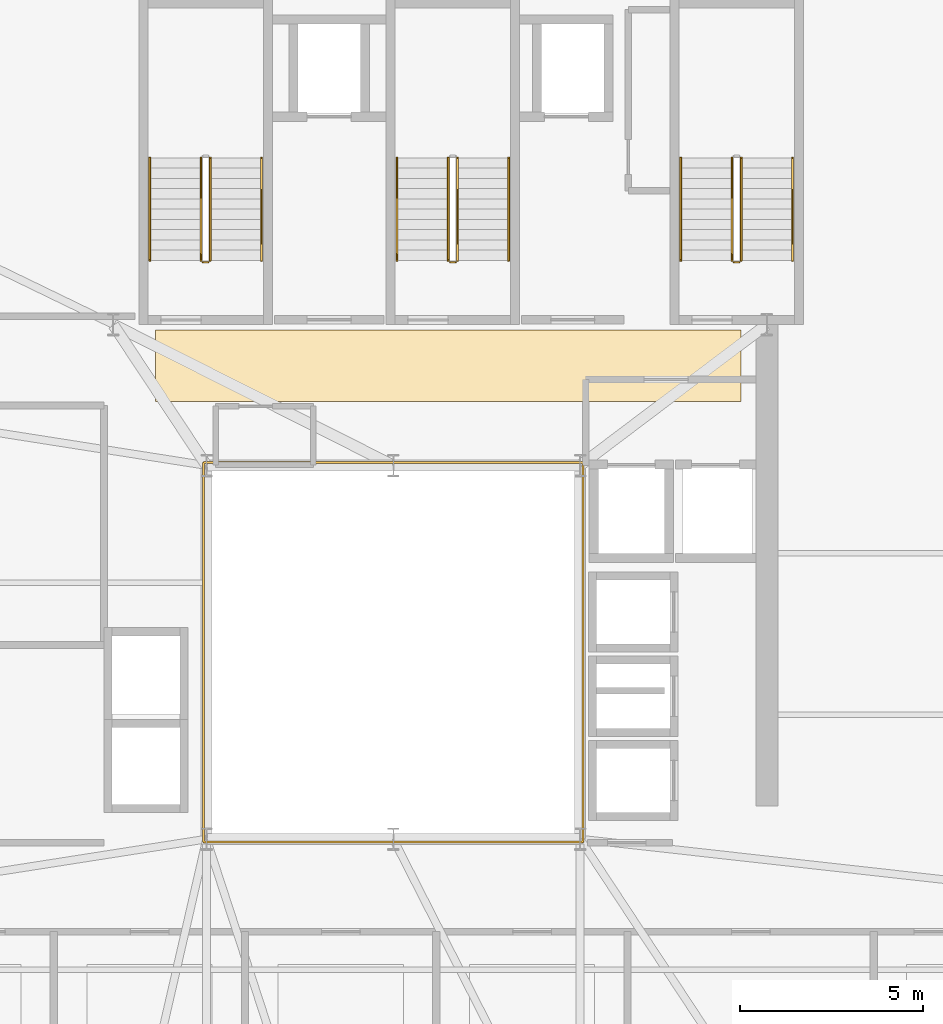
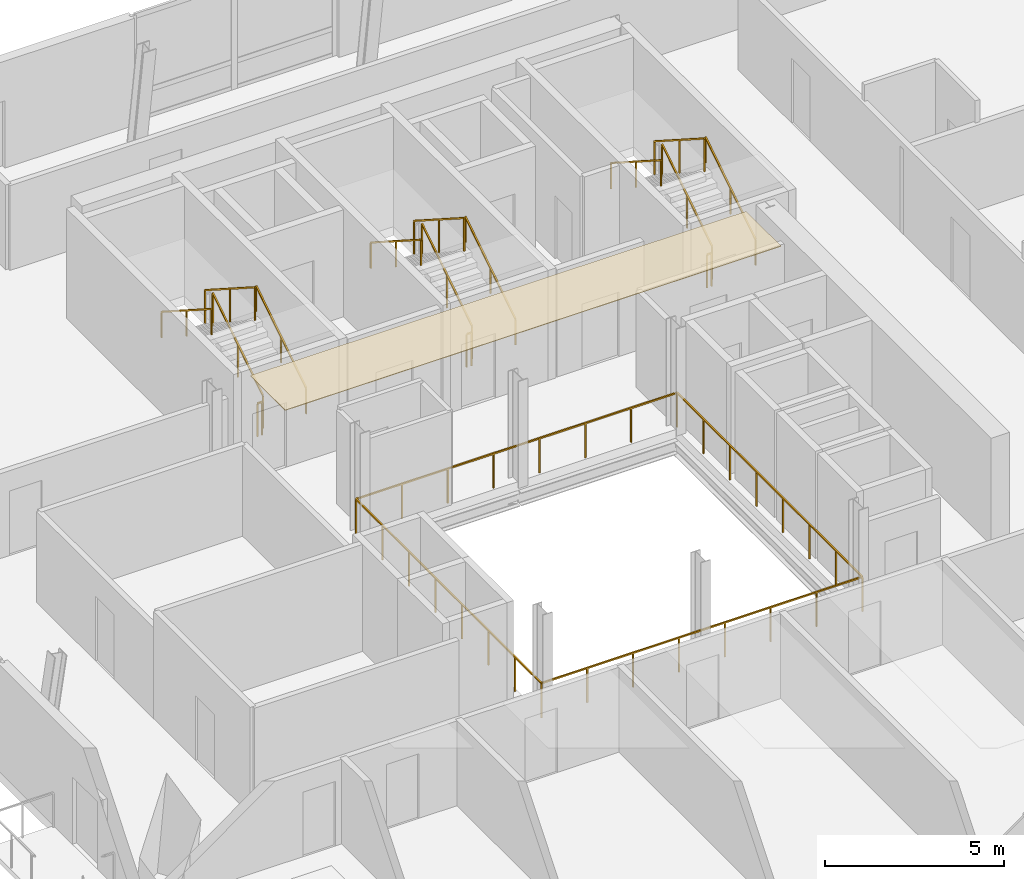
# One storey, part 13 of 15: 16 railings, 1 covering.
"""IFC4 building model written with IfcOpenShell, lengths in metres."""

import ifcopenshell
import ifcopenshell.guid

model = None  # the IFC model being written
_history = None  # IfcOwnerHistory: only IFC2X3 demands one
_inside = {}  # id of a spatial element -> (the spatial element, [elements in it])
_under = {}  # id of a project, library or spatial element -> (it, [spatial elements below it])
_declared = {}  # id of a project -> (the project, [libraries it declares])
_typed = {}  # id of a type object -> (the type object, [elements of that type])
_made_of = {}  # id of a material, layer set ... -> (it, [elements and type objects made of it])


def new_model(schema):
    """Start an empty IFC model of exactly this schema.

    Asked for "IFC4X3", IfcOpenShell would pick the latest addendum, in which some entities
    have other attributes; the version numbers below select the first issue.
    IFC2X3 requires an IfcOwnerHistory on every rooted entity: one is made here for all.
    """
    global model, _history
    if schema == "IFC4X3":
        model = ifcopenshell.file(schema_version=(4, 3, 0, 0))
    else:
        model = ifcopenshell.file(schema=schema)
    _inside.clear()
    _under.clear()
    _declared.clear()
    _typed.clear()
    _made_of.clear()
    _history = None
    if model.schema == "IFC2X3":
        org = make("IfcOrganization", Name="unknown")
        user = make(
            "IfcPersonAndOrganization",
            ThePerson=make("IfcPerson", FamilyName="unknown"),
            TheOrganization=org,
        )
        app = make(
            "IfcApplication",
            ApplicationDeveloper=org,
            Version="unknown",
            ApplicationFullName="unknown",
            ApplicationIdentifier="unknown",
        )
        _history = make(
            "IfcOwnerHistory",
            OwningUser=user,
            OwningApplication=app,
            ChangeAction="ADDED",
            CreationDate=0,
        )
    return model


def make(cls, **values):
    """One entity of the class cls with the attributes given. An attribute that is None is left unset."""
    return model.create_entity(
        cls, **{name: value for name, value in values.items() if value is not None}
    )


def rooted(cls, **values):
    """An entity with a GlobalId (a new one), such as an element, a storey or a relation."""
    return make(cls, GlobalId=ifcopenshell.guid.new(), OwnerHistory=_history, **values)


def si_unit(unit_type, name, prefix=None):
    """IfcSIUnit, for example si_unit("LENGTHUNIT", "METRE", prefix="MILLI")."""
    return make("IfcSIUnit", UnitType=unit_type, Prefix=prefix, Name=name)


def assignment(units):
    """IfcUnitAssignment: the units of a project."""
    return None if units is None else make("IfcUnitAssignment", Units=units)


def point(xyz):
    """IfcCartesianPoint."""
    return None if xyz is None else make("IfcCartesianPoint", Coordinates=xyz)


def direction(xyz):
    """IfcDirection."""
    return None if xyz is None else make("IfcDirection", DirectionRatios=xyz)


def frame(location, z_axis=None, x_axis=None):
    """IfcAxis2Placement3D, a coordinate frame: its origin and axes. An axis left out is left unset."""
    return make(
        "IfcAxis2Placement3D",
        Location=point(location),
        Axis=direction(z_axis),
        RefDirection=direction(x_axis),
    )


def frame_2d(location, x_axis=None):
    """IfcAxis2Placement2D, a coordinate frame in the plane: its origin and x axis."""
    return make(
        "IfcAxis2Placement2D", Location=point(location), RefDirection=direction(x_axis)
    )


def origin():
    """The frame at (0, 0, 0) with its axes left unset."""
    return frame((0.0, 0.0, 0.0))


def origin_2d():
    """The frame at (0, 0) in the plane with its x axis left unset."""
    return frame_2d((0.0, 0.0))


def place(relative_to, where):
    """IfcLocalPlacement: puts the frame where relative to a parent placement (None: the world)."""
    return make(
        "IfcLocalPlacement", PlacementRelTo=relative_to, RelativePlacement=where
    )


def context(
    kind, dimensions, precision=None, world=None, true_north=None, identifier=None
):
    """IfcGeometricRepresentationContext, for example the 3D "Model" context."""
    return make(
        "IfcGeometricRepresentationContext",
        ContextIdentifier=identifier,
        ContextType=kind,
        CoordinateSpaceDimension=dimensions,
        Precision=precision,
        WorldCoordinateSystem=world,
        TrueNorth=true_north,
    )


def subcontext(parent, identifier, kind, view, scale=None):
    """IfcGeometricRepresentationSubContext, for example "Body" below "Model"."""
    return make(
        "IfcGeometricRepresentationSubContext",
        ContextIdentifier=identifier,
        ContextType=kind,
        ParentContext=parent,
        TargetScale=scale,
        TargetView=view,
    )


def project(units=None, contexts=None):
    """IfcProject with its units and contexts."""
    return rooted(
        "IfcProject",
        Name="project",
        RepresentationContexts=contexts,
        UnitsInContext=assignment(units),
    )


def spatial(cls, under=None, at=None, **own):
    """A site, building, storey or space (cls), placed at a placement, below another one or the project."""
    s = rooted(cls, ObjectPlacement=at, **own)
    if under is not None:
        _under.setdefault(under.id(), (under, []))[1].append(s)
    return s


def polyline(points):
    """IfcPolyline through the points."""
    return make("IfcPolyline", Points=[point(p) for p in points])


def profile(cls, at=None, kind="AREA", **sizes):
    """A parametric profile (cls). Its sizes go by their IFC names, for example OverallWidth=200.0."""
    return make(cls, ProfileType=kind, Position=at, **sizes)


def rectangle(**sizes):
    """IfcRectangleProfileDef."""
    return profile("IfcRectangleProfileDef", **sizes)


def outline(outer, holes=None, kind="AREA"):
    """IfcArbitraryClosedProfileDef: a profile drawn as a closed curve; with holes, ...WithVoids."""
    if holes is None:
        return make("IfcArbitraryClosedProfileDef", ProfileType=kind, OuterCurve=outer)
    return make(
        "IfcArbitraryProfileDefWithVoids",
        ProfileType=kind,
        OuterCurve=outer,
        InnerCurves=holes,
    )


def extrude(swept, where, along, depth):
    """IfcExtrudedAreaSolid: the profile swept, set in the frame where, extruded along a direction by depth."""
    return make(
        "IfcExtrudedAreaSolid",
        SweptArea=swept,
        Position=where,
        ExtrudedDirection=direction(along),
        Depth=depth,
    )


def shape(context_of_items, identifier, shape_type, items):
    """IfcShapeRepresentation: the items that make up one representation, for example the "Body"."""
    return make(
        "IfcShapeRepresentation",
        ContextOfItems=context_of_items,
        RepresentationIdentifier=identifier,
        RepresentationType=shape_type,
        Items=items,
    )


def source(mapping_origin, context_of_items, identifier, shape_type, items):
    """IfcRepresentationMap: a shape defined once, which mapped items show again and again."""
    return make(
        "IfcRepresentationMap",
        MappingOrigin=mapping_origin,
        MappedRepresentation=shape(context_of_items, identifier, shape_type, items),
    )


def transform(
    local_origin,
    x_axis=None,
    y_axis=None,
    z_axis=None,
    scale=None,
    scale2=None,
    scale3=None,
    uniform=True,
):
    """IfcCartesianTransformationOperator3D, or its non-uniform kind. x_axis, y_axis, z_axis: its Axis1, 2, 3."""
    if uniform:
        return make(
            "IfcCartesianTransformationOperator3D",
            Axis1=direction(x_axis),
            Axis2=direction(y_axis),
            LocalOrigin=point(local_origin),
            Scale=scale,
            Axis3=direction(z_axis),
        )
    return make(
        "IfcCartesianTransformationOperator3DnonUniform",
        Axis1=direction(x_axis),
        Axis2=direction(y_axis),
        LocalOrigin=point(local_origin),
        Scale=scale,
        Axis3=direction(z_axis),
        Scale2=scale2,
        Scale3=scale3,
    )


def mapped(mapping_source, mapping_target):
    """IfcMappedItem: shows the shape of a source again, moved by a transform."""
    return make(
        "IfcMappedItem", MappingSource=mapping_source, MappingTarget=mapping_target
    )


def material(Name=None, Category=None):
    """IfcMaterial."""
    return make("IfcMaterial", Name=Name, Category=Category)


def layer(
    of_material, thickness, ventilated=None, Name=None, Category=None, Priority=None
):
    """IfcMaterialLayer: one layer of a wall or slab, of a material (None: an air gap)."""
    return make(
        "IfcMaterialLayer",
        Material=of_material,
        LayerThickness=thickness,
        IsVentilated=ventilated,
        Name=Name,
        Category=Category,
        Priority=Priority,
    )


def layer_set(layers, Name=None):
    """IfcMaterialLayerSet."""
    return make("IfcMaterialLayerSet", MaterialLayers=layers, LayerSetName=Name)


def made_of(thing, what):
    """Note that an element or type object is made of a material, layer set ...; save() writes the relation."""
    if what is not None:
        _made_of.setdefault(what.id(), (what, []))[1].append(thing)
    return thing


def type_object(cls, material=None, **own):
    """A type object (cls), such as IfcWallType, which elements share."""
    return made_of(rooted(cls, **own), material)


def element(
    cls,
    number,
    at=None,
    inside=None,
    cuts=None,
    type_object=None,
    material=None,
    context=None,
    identifier="Body",
    shape_type=None,
    held_by="IfcProductDefinitionShape",
    body=None,
    shapes=None,
    **own,
):
    """One element of the class cls, such as IfcWall. Its Tag is "e" and its number.

    at: its placement. inside: the storey or other place that contains it. cuts: it is an
    opening in that element (IfcRelVoidsElement). A single representation is given by context,
    identifier, shape_type and body (its items); several are given by shapes. held_by: the class
    of the entity that holds the representations. save() writes the other relations.
    """
    e = rooted(cls, Tag="e%d" % number, ObjectPlacement=at, **own)
    if body is not None:
        shapes = [shape(context, identifier, shape_type, body)]
    if shapes is not None:
        e.Representation = make(held_by, Representations=shapes)
    if inside is not None:
        _inside.setdefault(inside.id(), (inside, []))[1].append(e)
    if cuts is not None:
        rooted(
            "IfcRelVoidsElement", RelatingBuildingElement=cuts, RelatedOpeningElement=e
        )
    if type_object is not None:
        _typed.setdefault(type_object.id(), (type_object, []))[1].append(e)
    return made_of(e, material)


def aggregate(whole, parts):
    """IfcRelAggregates: a whole, such as a stair, and the parts it consists of."""
    return rooted("IfcRelAggregates", RelatingObject=whole, RelatedObjects=parts)


def save(model, path):
    """Write the relations noted so far, then the file.

    IfcRelAggregates (storeys below a building ...), IfcRelContainedInSpatialStructure (elements
    in a storey), IfcRelDefinesByType, IfcRelAssociatesMaterial and IfcRelDeclares: one each for
    every whole, place, type object, material and project.
    """
    for whole, parts in _under.values():
        aggregate(whole, parts)
    for where, things in _inside.values():
        rooted(
            "IfcRelContainedInSpatialStructure",
            RelatedElements=things,
            RelatingStructure=where,
        )
    for kind, things in _typed.values():
        rooted("IfcRelDefinesByType", RelatedObjects=things, RelatingType=kind)
    for what, things in _made_of.values():
        rooted("IfcRelAssociatesMaterial", RelatedObjects=things, RelatingMaterial=what)
    for by, libraries in _declared.values():
        rooted("IfcRelDeclares", RelatingContext=by, RelatedDefinitions=libraries)
    model.write(path)


model = new_model("IFC4")

# Units and contexts
model_context = context("Model", 3, precision=1e-05, world=origin(), true_north=direction((0.0, 1.0)))
body_context = subcontext(model_context, "Body", "Model", "MODEL_VIEW")
ifc_project = project(units=[si_unit("LENGTHUNIT", "METRE"), si_unit("AREAUNIT", "SQUARE_METRE"), si_unit("VOLUMEUNIT", "CUBIC_METRE"), si_unit("PLANEANGLEUNIT", "RADIAN"), si_unit("MASSUNIT", "GRAM", prefix="KILO")], contexts=[model_context])

# Site, building, storey
site_placement = place(None, origin())
site = spatial("IfcSite", under=ifc_project, at=site_placement, CompositionType="ELEMENT")
building_placement = place(site_placement, origin())
building = spatial("IfcBuilding", under=site, at=building_placement, Name="Vardaveli Station Tower", CompositionType="ELEMENT")
storey_placement = place(building_placement, frame((0.0, 0.0, 262.449951171875)))
storey = spatial("IfcBuildingStorey", under=building, at=storey_placement, Name="L67", CompositionType="ELEMENT", Elevation=262.449951171875)

# Covering
ifc_material_1 = material(Name="Perforated acoustic mineral ceiling")
ifc_layer = layer(ifc_material_1, 0.02001953125, Name="Perforated acoustic mineral ceiling")
ifc_layer_set = layer_set([ifc_layer], Name="Perforated acoustic mineral ceiling")
covering_type = type_object("IfcCoveringType", Name="COV-CEIL-AC20", PredefinedType="CEILING", material=ifc_layer_set)
covering_placement = place(storey_placement, frame((0.0, 0.0, 3.635009765625)))
element("IfcCovering", 1, at=covering_placement, inside=storey, type_object=covering_type, Name="CEIL-L67-7", PredefinedType="CEILING", context=body_context, shape_type="SweptSolid", body=[
    extrude(outline(polyline([(29.800048828125, 28.550048828125), (45.800048828125, 28.550048828125), (45.800048828125, 30.5), (29.800048828125, 30.5), (29.800048828125, 28.550048828125)])), origin(), (0.0, 0.0, 1.0), 0.02001953125),
])

# Railings
ifc_material_2 = material(Name="Brushed AISI 316 stainless steel", Category="steel")
railing_type_1 = type_object("IfcRailingType", Name="RL-GUARD-1150", PredefinedType="GUARDRAIL", material=ifc_material_2)
shared_shape_1 = source(origin(), body_context, "Body", "SweptSolid", [
    extrude(rectangle(XDim=0.048095703125, YDim=0.048095703125, at=origin_2d()), frame((0.0, 0.0, 1.1259765625), z_axis=(-1.0, 0.0, 0.0), x_axis=(0.0, -1.0, 0.0)), (0.0, 0.0, 1.0), 0.14990234375),
    extrude(rectangle(XDim=0.0419921875, YDim=0.0419921875, at=origin_2d()), origin(), (0.0, 0.0, 1.0), 1.101806640625),
    extrude(rectangle(XDim=0.0419921875, YDim=0.0419921875, at=origin_2d()), frame((-0.14990234375, 0.0, 0.0)), (0.0, 0.0, 1.0), 1.101806640625),
])
for number, where, name in (
    (2, (31.25, 32.35009765625, 0.0), "L67 ST-1 stair guard 4"),
    (3, (38.0, 32.35009765625, 0.0), "L67 ST-2 stair guard 4"),
    (4, (45.75, 32.35009765625, 0.0), "L67 ST-3 stair guard 4"),
):
    element("IfcRailing", number, at=place(storey_placement, frame(where)), inside=storey, type_object=railing_type_1, Name=name, PredefinedType="GUARDRAIL", context=body_context, shape_type="MappedRepresentation", body=[
        mapped(shared_shape_1, transform((0.0, 0.0, 0.0), scale=1.0)),
    ])
shared_shape_2 = source(origin(), body_context, "Body", "SweptSolid", [
    extrude(rectangle(XDim=0.048095703125, YDim=0.048095703125, at=origin_2d()), frame((0.0, 0.0, 1.1259765625), z_axis=(0.0, 0.841809871826, 0.539774156196), x_axis=(-1.0, 0.0, 0.0)), (0.0, 0.0, 1.0), 3.326171875),
    extrude(rectangle(XDim=0.0419921875, YDim=0.0419921875, at=origin_2d()), origin(), (0.0, 0.0, 1.0), 1.101806640625),
    extrude(rectangle(XDim=0.0419921875, YDim=0.0419921875, at=origin_2d()), frame((0.0, 1.39990234375, 0.897705078125)), (0.0, 0.0, 1.0), 1.101806640625),
    extrude(rectangle(XDim=0.0419921875, YDim=0.0419921875, at=origin_2d()), frame((0.0, 2.800048828125, 1.79541015625)), (0.0, 0.0, 1.0), 1.101806640625),
])
for number, where, name in (
    (5, (31.300048828125, 32.39990234375, 0.1796875), "L67 ST-1 stair guard 1"),
    (6, (38.050048828125, 32.39990234375, 0.1796875), "L67 ST-2 stair guard 1"),
    (7, (45.800048828125, 32.39990234375, 0.1796875), "L67 ST-3 stair guard 1"),
):
    element("IfcRailing", number, at=place(storey_placement, frame(where)), inside=storey, type_object=railing_type_1, Name=name, PredefinedType="GUARDRAIL", context=body_context, shape_type="MappedRepresentation", body=[
        mapped(shared_shape_2, transform((0.0, 0.0, 0.0), scale=1.0)),
    ])
shared_shape_3 = source(origin(), body_context, "Body", "SweptSolid", [
    extrude(rectangle(XDim=0.048095703125, YDim=0.048095703125, at=origin_2d()), frame((0.0, 0.0, 1.1259765625), z_axis=(0.0, -0.841809871826, 0.539774156196), x_axis=(1.0, 0.0, 0.0)), (0.0, 0.0, 1.0), 3.326171875),
    extrude(rectangle(XDim=0.0419921875, YDim=0.0419921875, at=origin_2d()), origin(), (0.0, 0.0, 1.0), 1.101806640625),
    extrude(rectangle(XDim=0.0419921875, YDim=0.0419921875, at=origin_2d()), frame((0.0, -1.39990234375, 0.897705078125)), (0.0, 0.0, 1.0), 1.101806640625),
    extrude(rectangle(XDim=0.0419921875, YDim=0.0419921875, at=origin_2d()), frame((0.0, -2.800048828125, 1.79541015625)), (0.0, 0.0, 1.0), 1.101806640625),
])
for number, where, name in (
    (8, (31.050048828125, 35.199951171875, 2.154541015625), "L67 ST-1 stair guard 3"),
    (9, (37.800048828125, 35.199951171875, 2.154541015625), "L67 ST-2 stair guard 3"),
    (10, (45.550048828125, 35.199951171875, 2.154541015625), "L67 ST-3 stair guard 3"),
):
    element("IfcRailing", number, at=place(storey_placement, frame(where)), inside=storey, type_object=railing_type_1, Name=name, PredefinedType="GUARDRAIL", context=body_context, shape_type="MappedRepresentation", body=[
        mapped(shared_shape_3, transform((0.0, 0.0, 0.0), scale=1.0)),
    ])
railing_type_2 = type_object("IfcRailingType", Name="RL-HAND-900", PredefinedType="HANDRAIL", material=ifc_material_2)
shared_shape_4 = source(origin(), body_context, "Body", "SweptSolid", [
    extrude(rectangle(XDim=0.048095703125, YDim=0.048095703125, at=origin_2d()), frame((0.0, 0.0, 0.8759765625), z_axis=(0.0, 0.841809871826, 0.539774156196), x_axis=(-1.0, 0.0, 0.0)), (0.0, 0.0, 1.0), 3.326171875),
    extrude(rectangle(XDim=0.0419921875, YDim=0.0419921875, at=origin_2d()), origin(), (0.0, 0.0, 1.0), 0.851806640625),
    extrude(rectangle(XDim=0.0419921875, YDim=0.0419921875, at=origin_2d()), frame((0.0, 1.39990234375, 0.897705078125)), (0.0, 0.0, 1.0), 0.851806640625),
    extrude(rectangle(XDim=0.0419921875, YDim=0.0419921875, at=origin_2d()), frame((0.0, 2.800048828125, 1.79541015625)), (0.0, 0.0, 1.0), 0.851806640625),
])
for number, where, name in (
    (11, (32.699951171875, 32.39990234375, 0.1796875), "L67 ST-1 stair handrail 1"),
    (12, (39.449951171875, 32.39990234375, 0.1796875), "L67 ST-2 stair handrail 1"),
    (13, (47.199951171875, 32.39990234375, 0.1796875), "L67 ST-3 stair handrail 1"),
):
    element("IfcRailing", number, at=place(storey_placement, frame(where)), inside=storey, type_object=railing_type_2, Name=name, PredefinedType="HANDRAIL", context=body_context, shape_type="MappedRepresentation", body=[
        mapped(shared_shape_4, transform((0.0, 0.0, 0.0), scale=1.0)),
    ])
shared_shape_5 = source(origin(), body_context, "Body", "SweptSolid", [
    extrude(rectangle(XDim=0.048095703125, YDim=0.048095703125, at=origin_2d()), frame((0.0, 0.0, 0.8759765625), z_axis=(0.0, -0.841809871826, 0.539774156196), x_axis=(1.0, 0.0, 0.0)), (0.0, 0.0, 1.0), 3.326171875),
    extrude(rectangle(XDim=0.0419921875, YDim=0.0419921875, at=origin_2d()), origin(), (0.0, 0.0, 1.0), 0.851806640625),
    extrude(rectangle(XDim=0.0419921875, YDim=0.0419921875, at=origin_2d()), frame((0.0, -1.39990234375, 0.897705078125)), (0.0, 0.0, 1.0), 0.851806640625),
    extrude(rectangle(XDim=0.0419921875, YDim=0.0419921875, at=origin_2d()), frame((0.0, -2.800048828125, 1.79541015625)), (0.0, 0.0, 1.0), 0.851806640625),
])
for number, where, name in (
    (14, (29.64990234375, 35.199951171875, 2.154541015625), "L67 ST-1 stair handrail 2"),
    (15, (36.39990234375, 35.199951171875, 2.154541015625), "L67 ST-2 stair handrail 2"),
    (16, (44.14990234375, 35.199951171875, 2.154541015625), "L67 ST-3 stair handrail 2"),
):
    element("IfcRailing", number, at=place(storey_placement, frame(where)), inside=storey, type_object=railing_type_2, Name=name, PredefinedType="HANDRAIL", context=body_context, shape_type="MappedRepresentation", body=[
        mapped(shared_shape_5, transform((0.0, 0.0, 0.0), scale=1.0)),
    ])
ifc_material_3 = material(Name="Laminated glass and stainless steel balustrade", Category="steel")
railing_type_3 = type_object("IfcRailingType", Name="RL-BAL-1200", PredefinedType="BALUSTRADE", material=ifc_material_3)
shared_shape_6 = source(origin(), body_context, "Body", "SweptSolid", [
    extrude(rectangle(XDim=0.048095703125, YDim=0.048095703125, at=origin_2d()), frame((0.0, 0.0, 1.17578125), z_axis=(1.0, 0.0, 0.0), x_axis=(0.0, 1.0, 0.0)), (0.0, 0.0, 1.0), 10.35986328125),
    extrude(rectangle(XDim=0.048095703125, YDim=0.048095703125, at=origin_2d()), frame((10.35986328125, 0.0, 1.17578125), z_axis=(0.0, 1.0, 0.0), x_axis=(-1.0, 0.0, 0.0)), (0.0, 0.0, 1.0), 10.35986328125),
    extrude(rectangle(XDim=0.048095703125, YDim=0.048095703125, at=origin_2d()), frame((10.35986328125, 10.35986328125, 1.17578125), z_axis=(-1.0, 0.0, 0.0), x_axis=(0.0, -1.0, 0.0)), (0.0, 0.0, 1.0), 10.35986328125),
    extrude(rectangle(XDim=0.048095703125, YDim=0.048095703125, at=origin_2d()), frame((0.0, 10.35986328125, 1.17578125), z_axis=(0.0, -1.0, 0.0), x_axis=(1.0, 0.0, 0.0)), (0.0, 0.0, 1.0), 10.35986328125),
    extrude(rectangle(XDim=0.0419921875, YDim=0.0419921875, at=origin_2d()), origin(), (0.0, 0.0, 1.0), 1.15185546875),
    extrude(rectangle(XDim=0.0419921875, YDim=0.0419921875, at=origin_2d()), frame((1.47998046875, 0.0, 0.0)), (0.0, 0.0, 1.0), 1.15185546875),
    extrude(rectangle(XDim=0.0419921875, YDim=0.0419921875, at=origin_2d()), frame((2.9599609375, 0.0, 0.0)), (0.0, 0.0, 1.0), 1.15185546875),
    extrude(rectangle(XDim=0.0419921875, YDim=0.0419921875, at=origin_2d()), frame((4.43994140625, 0.0, 0.0)), (0.0, 0.0, 1.0), 1.15185546875),
    extrude(rectangle(XDim=0.0419921875, YDim=0.0419921875, at=origin_2d()), frame((5.919921875, 0.0, 0.0)), (0.0, 0.0, 1.0), 1.15185546875),
    extrude(rectangle(XDim=0.0419921875, YDim=0.0419921875, at=origin_2d()), frame((7.39990234375, 0.0, 0.0)), (0.0, 0.0, 1.0), 1.15185546875),
    extrude(rectangle(XDim=0.0419921875, YDim=0.0419921875, at=origin_2d()), frame((8.8798828125, 0.0, 0.0)), (0.0, 0.0, 1.0), 1.15185546875),
    extrude(rectangle(XDim=0.0419921875, YDim=0.0419921875, at=origin_2d()), frame((10.35986328125, 0.0, 0.0)), (0.0, 0.0, 1.0), 1.15185546875),
    extrude(rectangle(XDim=0.0419921875, YDim=0.0419921875, at=origin_2d()), frame((10.35986328125, 1.47998046875, 0.0)), (0.0, 0.0, 1.0), 1.15185546875),
    extrude(rectangle(XDim=0.0419921875, YDim=0.0419921875, at=origin_2d()), frame((10.35986328125, 2.9599609375, 0.0)), (0.0, 0.0, 1.0), 1.15185546875),
    extrude(rectangle(XDim=0.0419921875, YDim=0.0419921875, at=origin_2d()), frame((10.35986328125, 4.43994140625, 0.0)), (0.0, 0.0, 1.0), 1.15185546875),
    extrude(rectangle(XDim=0.0419921875, YDim=0.0419921875, at=origin_2d()), frame((10.35986328125, 5.919921875, 0.0)), (0.0, 0.0, 1.0), 1.15185546875),
    extrude(rectangle(XDim=0.0419921875, YDim=0.0419921875, at=origin_2d()), frame((10.35986328125, 7.39990234375, 0.0)), (0.0, 0.0, 1.0), 1.15185546875),
    extrude(rectangle(XDim=0.0419921875, YDim=0.0419921875, at=origin_2d()), frame((10.35986328125, 8.8798828125, 0.0)), (0.0, 0.0, 1.0), 1.15185546875),
    extrude(rectangle(XDim=0.0419921875, YDim=0.0419921875, at=origin_2d()), frame((10.35986328125, 10.35986328125, 0.0)), (0.0, 0.0, 1.0), 1.15185546875),
    extrude(rectangle(XDim=0.0419921875, YDim=0.0419921875, at=origin_2d()), frame((8.8798828125, 10.35986328125, 0.0)), (0.0, 0.0, 1.0), 1.15185546875),
    extrude(rectangle(XDim=0.0419921875, YDim=0.0419921875, at=origin_2d()), frame((7.39990234375, 10.35986328125, 0.0)), (0.0, 0.0, 1.0), 1.15185546875),
    extrude(rectangle(XDim=0.0419921875, YDim=0.0419921875, at=origin_2d()), frame((5.919921875, 10.35986328125, 0.0)), (0.0, 0.0, 1.0), 1.15185546875),
    extrude(rectangle(XDim=0.0419921875, YDim=0.0419921875, at=origin_2d()), frame((4.43994140625, 10.35986328125, 0.0)), (0.0, 0.0, 1.0), 1.15185546875),
    extrude(rectangle(XDim=0.0419921875, YDim=0.0419921875, at=origin_2d()), frame((2.9599609375, 10.35986328125, 0.0)), (0.0, 0.0, 1.0), 1.15185546875),
    extrude(rectangle(XDim=0.0419921875, YDim=0.0419921875, at=origin_2d()), frame((1.47998046875, 10.35986328125, 0.0)), (0.0, 0.0, 1.0), 1.15185546875),
    extrude(rectangle(XDim=0.0419921875, YDim=0.0419921875, at=origin_2d()), frame((0.0, 10.35986328125, 0.0)), (0.0, 0.0, 1.0), 1.15185546875),
    extrude(rectangle(XDim=0.0419921875, YDim=0.0419921875, at=origin_2d()), frame((0.0, 8.8798828125, 0.0)), (0.0, 0.0, 1.0), 1.15185546875),
    extrude(rectangle(XDim=0.0419921875, YDim=0.0419921875, at=origin_2d()), frame((0.0, 7.39990234375, 0.0)), (0.0, 0.0, 1.0), 1.15185546875),
    extrude(rectangle(XDim=0.0419921875, YDim=0.0419921875, at=origin_2d()), frame((0.0, 5.919921875, 0.0)), (0.0, 0.0, 1.0), 1.15185546875),
    extrude(rectangle(XDim=0.0419921875, YDim=0.0419921875, at=origin_2d()), frame((0.0, 4.43994140625, 0.0)), (0.0, 0.0, 1.0), 1.15185546875),
    extrude(rectangle(XDim=0.0419921875, YDim=0.0419921875, at=origin_2d()), frame((0.0, 2.9599609375, 0.0)), (0.0, 0.0, 1.0), 1.15185546875),
    extrude(rectangle(XDim=0.0419921875, YDim=0.0419921875, at=origin_2d()), frame((0.0, 1.47998046875, 0.0)), (0.0, 0.0, 1.0), 1.15185546875),
])
railing_placement = place(storey_placement, frame((31.1201171875, 16.52001953125, 0.0)))
element("IfcRailing", 17, at=railing_placement, inside=storey, type_object=railing_type_3, Name="RL-ATR-L67", PredefinedType="BALUSTRADE", context=body_context, shape_type="MappedRepresentation", body=[
    mapped(shared_shape_6, transform((0.0, 0.0, 0.0), scale=1.0)),
])

save(model, "model.ifc")
